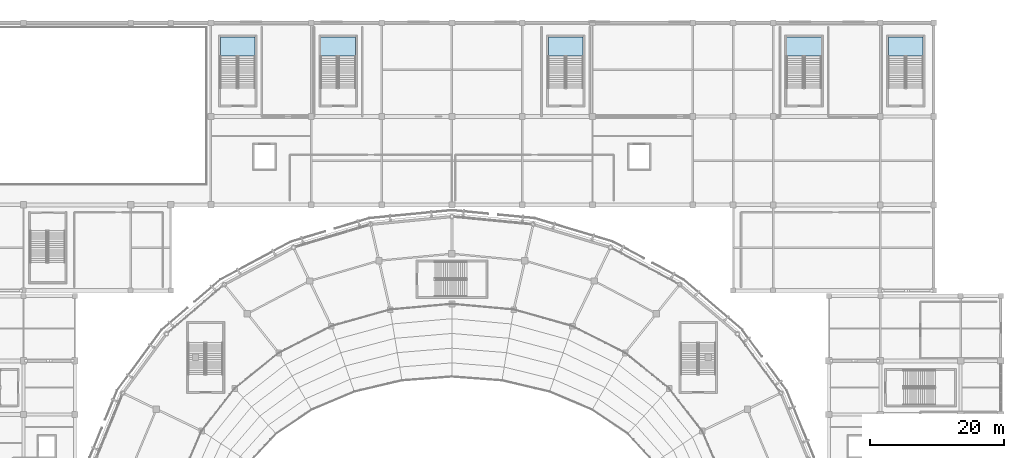
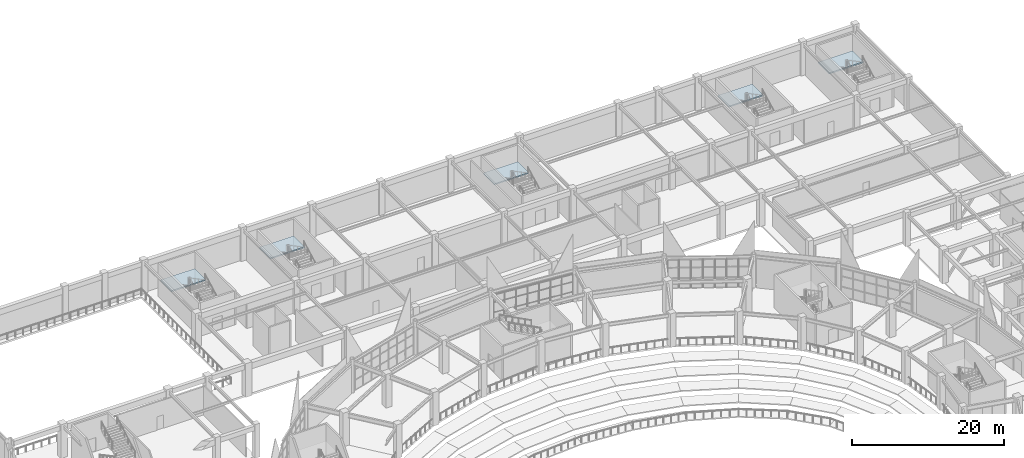
# One storey, part 70 of 120: 5 slabs, 5 elements without a shape of their own.
"""IFC4 building model written with IfcOpenShell, lengths in metres."""

from ifc_helpers import new_model, si_unit, direction, frame, origin, place, context, subcontext, project, spatial, polyline, outline, extrude, material, layer, layer_set, type_object, element, aggregate, save


model = new_model("IFC4")

# Units and contexts
model_context = context("Model", 3, precision=1e-05, world=origin(), true_north=direction((0.0, 1.0)))
body_context = subcontext(model_context, "Body", "Model", "MODEL_VIEW")
ifc_project = project(units=[si_unit("LENGTHUNIT", "METRE"), si_unit("AREAUNIT", "SQUARE_METRE"), si_unit("VOLUMEUNIT", "CUBIC_METRE"), si_unit("PLANEANGLEUNIT", "RADIAN"), si_unit("MASSUNIT", "GRAM", prefix="KILO")], contexts=[model_context])

# Site, building, storey
site_placement = place(None, origin())
site = spatial("IfcSite", under=ifc_project, at=site_placement, CompositionType="ELEMENT")
building_placement = place(site_placement, origin())
building = spatial("IfcBuilding", under=site, at=building_placement, Name="Cuetzalor Civic Arena", CompositionType="ELEMENT")
storey_placement = place(building_placement, frame((0.0, 0.0, 6.0)))
storey = spatial("IfcBuildingStorey", under=building, at=storey_placement, Name="L01", CompositionType="ELEMENT", Elevation=6.0)

# Stair, slab
ifc_material_1 = material(Name="Precast concrete C40/50", Category="concrete")
stair_type = type_object("IfcStairType", Name="EnclosedExitStair_H540", PredefinedType="HALF_TURN_STAIR", material=ifc_material_1)
stair_1_placement = place(storey_placement, origin())
stair_1 = element("IfcStair", 1, at=stair_1_placement, inside=storey, type_object=stair_type, Name="L01 Enclosed Exit Stair ST-24", PredefinedType="HALF_TURN_STAIR")
ifc_material_2 = material(Name="Concrete C40/50", Category="concrete")
ifc_layer = layer(ifc_material_2, 0.199951171875)
ifc_layer_set = layer_set([ifc_layer], Name="Concrete C40/50")
slab_type = type_object("IfcSlabType", Name="StairHalfLandingSlab_200", PredefinedType="LANDING", material=ifc_layer_set)
slab_1_placement = place(storey_placement, frame((0.0, 0.0, 2.5)))
slab_1 = element("IfcSlab", 2, at=slab_1_placement, type_object=slab_type, Name="ST-24 landing 1", PredefinedType="LANDING", context=body_context, shape_type="SweptSolid", body=[
    extrude(outline(polyline([(-29.39990234375, 70.52001953125), (-29.39990234375, 73.39990234375), (-34.60009765625, 73.39990234375), (-34.60009765625, 70.52001953125), (-29.39990234375, 70.52001953125)])), origin(), (0.0, 0.0, 1.0), 0.199951171875),
])
aggregate(stair_1, [slab_1])

stair_2_placement = place(storey_placement, origin())
stair_2 = element("IfcStair", 3, at=stair_2_placement, inside=storey, type_object=stair_type, Name="L01 Enclosed Exit Stair ST-25", PredefinedType="HALF_TURN_STAIR")
slab_2_placement = place(storey_placement, frame((0.0, 0.0, 2.5)))
slab_2 = element("IfcSlab", 4, at=slab_2_placement, type_object=slab_type, Name="ST-25 landing 1", PredefinedType="LANDING", context=body_context, shape_type="SweptSolid", body=[
    extrude(outline(polyline([(-14.39990234375, 70.52001953125), (-14.39990234375, 73.39990234375), (-19.60009765625, 73.39990234375), (-19.60009765625, 70.52001953125), (-14.39990234375, 70.52001953125)])), origin(), (0.0, 0.0, 1.0), 0.199951171875),
])
aggregate(stair_2, [slab_2])

stair_3_placement = place(storey_placement, origin())
stair_3 = element("IfcStair", 5, at=stair_3_placement, inside=storey, type_object=stair_type, Name="L01 Enclosed Exit Stair ST-26", PredefinedType="HALF_TURN_STAIR")
slab_3_placement = place(storey_placement, frame((0.0, 0.0, 2.5)))
slab_3 = element("IfcSlab", 6, at=slab_3_placement, type_object=slab_type, Name="ST-26 landing 1", PredefinedType="LANDING", context=body_context, shape_type="SweptSolid", body=[
    extrude(outline(polyline([(19.60009765625, 70.52001953125), (19.60009765625, 73.39990234375), (14.39990234375, 73.39990234375), (14.39990234375, 70.52001953125), (19.60009765625, 70.52001953125)])), origin(), (0.0, 0.0, 1.0), 0.199951171875),
])
aggregate(stair_3, [slab_3])

stair_4_placement = place(storey_placement, origin())
stair_4 = element("IfcStair", 7, at=stair_4_placement, inside=storey, type_object=stair_type, Name="L01 Enclosed Exit Stair ST-27", PredefinedType="HALF_TURN_STAIR")
slab_4_placement = place(storey_placement, frame((0.0, 0.0, 2.5)))
slab_4 = element("IfcSlab", 8, at=slab_4_placement, type_object=slab_type, Name="ST-27 landing 1", PredefinedType="LANDING", context=body_context, shape_type="SweptSolid", body=[
    extrude(outline(polyline([(55.199951171875, 70.52001953125), (55.199951171875, 73.39990234375), (50.0, 73.39990234375), (50.0, 70.52001953125), (55.199951171875, 70.52001953125)])), origin(), (0.0, 0.0, 1.0), 0.199951171875),
])
aggregate(stair_4, [slab_4])

stair_5_placement = place(storey_placement, origin())
stair_5 = element("IfcStair", 9, at=stair_5_placement, inside=storey, type_object=stair_type, Name="L01 Enclosed Exit Stair ST-28", PredefinedType="HALF_TURN_STAIR")
slab_5_placement = place(storey_placement, frame((0.0, 0.0, 2.5)))
slab_5 = element("IfcSlab", 10, at=slab_5_placement, type_object=slab_type, Name="ST-28 landing 1", PredefinedType="LANDING", context=body_context, shape_type="SweptSolid", body=[
    extrude(outline(polyline([(70.39990234375, 70.52001953125), (70.39990234375, 73.39990234375), (65.199951171875, 73.39990234375), (65.199951171875, 70.52001953125), (70.39990234375, 70.52001953125)])), origin(), (0.0, 0.0, 1.0), 0.199951171875),
])
aggregate(stair_5, [slab_5])

save(model, "model.ifc")
